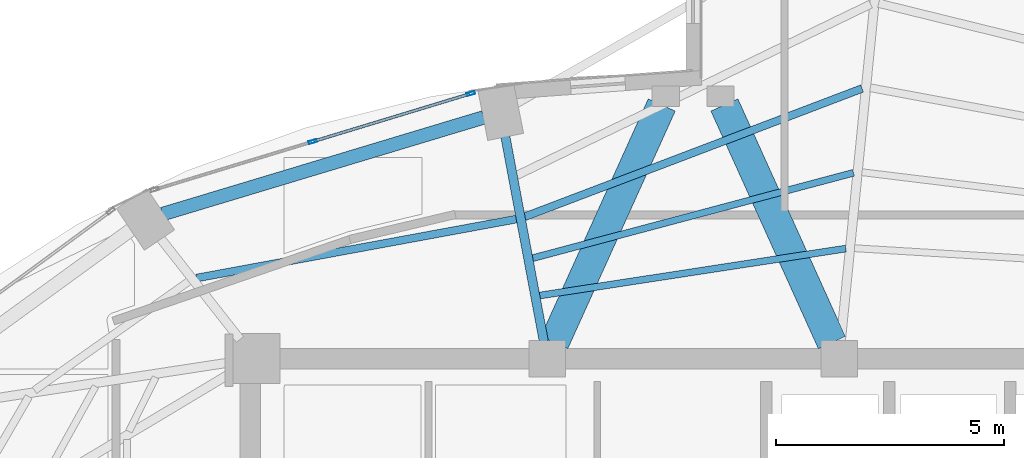
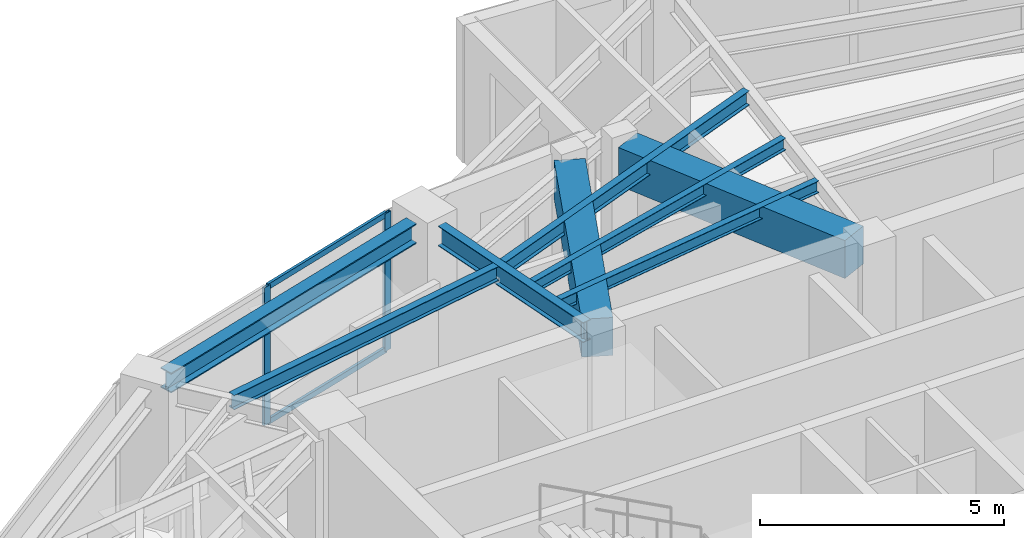
# One storey, part 11 of 22: 8 beams, 4 members, 1 element without a shape of its own.
"""IFC4 building model written with IfcOpenShell, lengths in metres."""

import ifcopenshell
import ifcopenshell.guid

model = None  # the IFC model being written
_history = None  # IfcOwnerHistory: only IFC2X3 demands one
_inside = {}  # id of a spatial element -> (the spatial element, [elements in it])
_under = {}  # id of a project, library or spatial element -> (it, [spatial elements below it])
_declared = {}  # id of a project -> (the project, [libraries it declares])
_typed = {}  # id of a type object -> (the type object, [elements of that type])
_made_of = {}  # id of a material, layer set ... -> (it, [elements and type objects made of it])


def new_model(schema):
    """Start an empty IFC model of exactly this schema.

    Asked for "IFC4X3", IfcOpenShell would pick the latest addendum, in which some entities
    have other attributes; the version numbers below select the first issue.
    IFC2X3 requires an IfcOwnerHistory on every rooted entity: one is made here for all.
    """
    global model, _history
    if schema == "IFC4X3":
        model = ifcopenshell.file(schema_version=(4, 3, 0, 0))
    else:
        model = ifcopenshell.file(schema=schema)
    _inside.clear()
    _under.clear()
    _declared.clear()
    _typed.clear()
    _made_of.clear()
    _history = None
    if model.schema == "IFC2X3":
        org = make("IfcOrganization", Name="unknown")
        user = make(
            "IfcPersonAndOrganization",
            ThePerson=make("IfcPerson", FamilyName="unknown"),
            TheOrganization=org,
        )
        app = make(
            "IfcApplication",
            ApplicationDeveloper=org,
            Version="unknown",
            ApplicationFullName="unknown",
            ApplicationIdentifier="unknown",
        )
        _history = make(
            "IfcOwnerHistory",
            OwningUser=user,
            OwningApplication=app,
            ChangeAction="ADDED",
            CreationDate=0,
        )
    return model


def make(cls, **values):
    """One entity of the class cls with the attributes given. An attribute that is None is left unset."""
    return model.create_entity(
        cls, **{name: value for name, value in values.items() if value is not None}
    )


def rooted(cls, **values):
    """An entity with a GlobalId (a new one), such as an element, a storey or a relation."""
    return make(cls, GlobalId=ifcopenshell.guid.new(), OwnerHistory=_history, **values)


def si_unit(unit_type, name, prefix=None):
    """IfcSIUnit, for example si_unit("LENGTHUNIT", "METRE", prefix="MILLI")."""
    return make("IfcSIUnit", UnitType=unit_type, Prefix=prefix, Name=name)


def assignment(units):
    """IfcUnitAssignment: the units of a project."""
    return None if units is None else make("IfcUnitAssignment", Units=units)


def point(xyz):
    """IfcCartesianPoint."""
    return None if xyz is None else make("IfcCartesianPoint", Coordinates=xyz)


def direction(xyz):
    """IfcDirection."""
    return None if xyz is None else make("IfcDirection", DirectionRatios=xyz)


def frame(location, z_axis=None, x_axis=None):
    """IfcAxis2Placement3D, a coordinate frame: its origin and axes. An axis left out is left unset."""
    return make(
        "IfcAxis2Placement3D",
        Location=point(location),
        Axis=direction(z_axis),
        RefDirection=direction(x_axis),
    )


def frame_2d(location, x_axis=None):
    """IfcAxis2Placement2D, a coordinate frame in the plane: its origin and x axis."""
    return make(
        "IfcAxis2Placement2D", Location=point(location), RefDirection=direction(x_axis)
    )


def origin():
    """The frame at (0, 0, 0) with its axes left unset."""
    return frame((0.0, 0.0, 0.0))


def origin_2d():
    """The frame at (0, 0) in the plane with its x axis left unset."""
    return frame_2d((0.0, 0.0))


def place(relative_to, where):
    """IfcLocalPlacement: puts the frame where relative to a parent placement (None: the world)."""
    return make(
        "IfcLocalPlacement", PlacementRelTo=relative_to, RelativePlacement=where
    )


def context(
    kind, dimensions, precision=None, world=None, true_north=None, identifier=None
):
    """IfcGeometricRepresentationContext, for example the 3D "Model" context."""
    return make(
        "IfcGeometricRepresentationContext",
        ContextIdentifier=identifier,
        ContextType=kind,
        CoordinateSpaceDimension=dimensions,
        Precision=precision,
        WorldCoordinateSystem=world,
        TrueNorth=true_north,
    )


def subcontext(parent, identifier, kind, view, scale=None):
    """IfcGeometricRepresentationSubContext, for example "Body" below "Model"."""
    return make(
        "IfcGeometricRepresentationSubContext",
        ContextIdentifier=identifier,
        ContextType=kind,
        ParentContext=parent,
        TargetScale=scale,
        TargetView=view,
    )


def project(units=None, contexts=None):
    """IfcProject with its units and contexts."""
    return rooted(
        "IfcProject",
        Name="project",
        RepresentationContexts=contexts,
        UnitsInContext=assignment(units),
    )


def spatial(cls, under=None, at=None, **own):
    """A site, building, storey or space (cls), placed at a placement, below another one or the project."""
    s = rooted(cls, ObjectPlacement=at, **own)
    if under is not None:
        _under.setdefault(under.id(), (under, []))[1].append(s)
    return s


def profile(cls, at=None, kind="AREA", **sizes):
    """A parametric profile (cls). Its sizes go by their IFC names, for example OverallWidth=200.0."""
    return make(cls, ProfileType=kind, Position=at, **sizes)


def rectangle(**sizes):
    """IfcRectangleProfileDef."""
    return profile("IfcRectangleProfileDef", **sizes)


def hollow_rectangle(**sizes):
    """IfcRectangleHollowProfileDef."""
    return profile("IfcRectangleHollowProfileDef", **sizes)


def i_section(**sizes):
    """IfcIShapeProfileDef."""
    return profile("IfcIShapeProfileDef", **sizes)


def extrude(swept, where, along, depth):
    """IfcExtrudedAreaSolid: the profile swept, set in the frame where, extruded along a direction by depth."""
    return make(
        "IfcExtrudedAreaSolid",
        SweptArea=swept,
        Position=where,
        ExtrudedDirection=direction(along),
        Depth=depth,
    )


def shape(context_of_items, identifier, shape_type, items):
    """IfcShapeRepresentation: the items that make up one representation, for example the "Body"."""
    return make(
        "IfcShapeRepresentation",
        ContextOfItems=context_of_items,
        RepresentationIdentifier=identifier,
        RepresentationType=shape_type,
        Items=items,
    )


def material(Name=None, Category=None):
    """IfcMaterial."""
    return make("IfcMaterial", Name=Name, Category=Category)


def layer(
    of_material, thickness, ventilated=None, Name=None, Category=None, Priority=None
):
    """IfcMaterialLayer: one layer of a wall or slab, of a material (None: an air gap)."""
    return make(
        "IfcMaterialLayer",
        Material=of_material,
        LayerThickness=thickness,
        IsVentilated=ventilated,
        Name=Name,
        Category=Category,
        Priority=Priority,
    )


def layer_set(layers, Name=None):
    """IfcMaterialLayerSet."""
    return make("IfcMaterialLayerSet", MaterialLayers=layers, LayerSetName=Name)


def material_profile(
    of_material, cross_section, Name=None, Category=None, Priority=None
):
    """IfcMaterialProfile: a cross section and its material."""
    return make(
        "IfcMaterialProfile",
        Name=Name,
        Material=of_material,
        Profile=cross_section,
        Priority=Priority,
        Category=Category,
    )


def profile_set(profiles, Name=None, composite=None):
    """IfcMaterialProfileSet."""
    return make(
        "IfcMaterialProfileSet",
        Name=Name,
        MaterialProfiles=profiles,
        CompositeProfile=composite,
    )


def made_of(thing, what):
    """Note that an element or type object is made of a material, layer set ...; save() writes the relation."""
    if what is not None:
        _made_of.setdefault(what.id(), (what, []))[1].append(thing)
    return thing


def type_object(cls, material=None, **own):
    """A type object (cls), such as IfcWallType, which elements share."""
    return made_of(rooted(cls, **own), material)


def element(
    cls,
    number,
    at=None,
    inside=None,
    cuts=None,
    type_object=None,
    material=None,
    context=None,
    identifier="Body",
    shape_type=None,
    held_by="IfcProductDefinitionShape",
    body=None,
    shapes=None,
    **own,
):
    """One element of the class cls, such as IfcWall. Its Tag is "e" and its number.

    at: its placement. inside: the storey or other place that contains it. cuts: it is an
    opening in that element (IfcRelVoidsElement). A single representation is given by context,
    identifier, shape_type and body (its items); several are given by shapes. held_by: the class
    of the entity that holds the representations. save() writes the other relations.
    """
    e = rooted(cls, Tag="e%d" % number, ObjectPlacement=at, **own)
    if body is not None:
        shapes = [shape(context, identifier, shape_type, body)]
    if shapes is not None:
        e.Representation = make(held_by, Representations=shapes)
    if inside is not None:
        _inside.setdefault(inside.id(), (inside, []))[1].append(e)
    if cuts is not None:
        rooted(
            "IfcRelVoidsElement", RelatingBuildingElement=cuts, RelatedOpeningElement=e
        )
    if type_object is not None:
        _typed.setdefault(type_object.id(), (type_object, []))[1].append(e)
    return made_of(e, material)


def aggregate(whole, parts):
    """IfcRelAggregates: a whole, such as a stair, and the parts it consists of."""
    return rooted("IfcRelAggregates", RelatingObject=whole, RelatedObjects=parts)


def save(model, path):
    """Write the relations noted so far, then the file.

    IfcRelAggregates (storeys below a building ...), IfcRelContainedInSpatialStructure (elements
    in a storey), IfcRelDefinesByType, IfcRelAssociatesMaterial and IfcRelDeclares: one each for
    every whole, place, type object, material and project.
    """
    for whole, parts in _under.values():
        aggregate(whole, parts)
    for where, things in _inside.values():
        rooted(
            "IfcRelContainedInSpatialStructure",
            RelatedElements=things,
            RelatingStructure=where,
        )
    for kind, things in _typed.values():
        rooted("IfcRelDefinesByType", RelatedObjects=things, RelatingType=kind)
    for what, things in _made_of.values():
        rooted("IfcRelAssociatesMaterial", RelatedObjects=things, RelatingMaterial=what)
    for by, libraries in _declared.values():
        rooted("IfcRelDeclares", RelatingContext=by, RelatedDefinitions=libraries)
    model.write(path)


model = new_model("IFC4")

# Units and contexts
model_context = context("Model", 3, precision=1e-05, world=origin(), true_north=direction((0.0, 1.0)))
body_context = subcontext(model_context, "Body", "Model", "MODEL_VIEW")
ifc_project = project(units=[si_unit("LENGTHUNIT", "METRE"), si_unit("AREAUNIT", "SQUARE_METRE"), si_unit("VOLUMEUNIT", "CUBIC_METRE"), si_unit("PLANEANGLEUNIT", "RADIAN"), si_unit("MASSUNIT", "GRAM", prefix="KILO")], contexts=[model_context])

# Site, building, storey
site_placement = place(None, origin())
site = spatial("IfcSite", under=ifc_project, at=site_placement, CompositionType="ELEMENT")
building_placement = place(site_placement, origin())
building = spatial("IfcBuilding", under=site, at=building_placement, Name="Lazwardi Medical Tower", CompositionType="ELEMENT")
storey_placement = place(building_placement, frame((0.0, 0.0, 258.672119140625)))
storey = spatial("IfcBuildingStorey", under=building, at=storey_placement, Name="L67", CompositionType="ELEMENT", Elevation=258.672119140625)

# Beams
ifc_material_1 = material(Name="Concrete C60/75", Category="concrete")
ifc_material_profile_1 = material_profile(ifc_material_1, rectangle(XDim=0.64990234375, YDim=0.949951171875, at=origin_2d()), Name="RC 650x950")
ifc_profile_set_1 = profile_set([ifc_material_profile_1], Name="Concrete C60/75")
beam_type_1 = type_object("IfcBeamType", Name="BM-CB-RC2", PredefinedType="LINTEL", material=ifc_profile_set_1)
for number, where, z_axis, x_axis, name in (
    (1, (32.95849609375, 35.95068359375, 2.972900390625), (0.412019279944, 0.911175127489, 0.0), (-0.911175127489, 0.412019279944, 0.0), "Core coupling lintel CB-02 PL1 L67"),
    (2, (39.04150390625, 35.95068359375, 2.972900390625), (-0.412019279944, 0.911175127489, 0.0), (-0.911175127489, -0.412019279944, 0.0), "Core coupling lintel CB-02 PL2 L67"),
):
    element("IfcBeam", number, at=place(storey_placement, frame(where, z_axis=z_axis, x_axis=x_axis)), inside=storey, type_object=beam_type_1, Name=name, PredefinedType="LINTEL", context=body_context, shape_type="SweptSolid", body=[
        extrude(rectangle(XDim=0.64990234375, YDim=0.949951171875, at=origin_2d()), origin(), (0.0, 0.0, 1.0), 5.7158203125),
    ])
ifc_material_2 = material(Name="Steel S355", Category="steel")
ifc_material_profile_2 = material_profile(ifc_material_2, i_section(OverallWidth=0.300048828125, OverallDepth=0.5, WebThickness=0.014404296875, FlangeThickness=0.028076171875, at=origin_2d()), Name="HEB 500")
ifc_profile_set_2 = profile_set([ifc_material_profile_2], Name="Steel S355")
beam_type_2 = type_object("IfcBeamType", Name="BM-RB-Z4", PredefinedType="BEAM", material=ifc_profile_set_2)
beam_1_placement = place(storey_placement, frame((31.41259765625, 40.885986328125, 3.197998046875), z_axis=(-0.957544311906, -0.288286126506, 0.0), x_axis=(0.288286126506, -0.957544311906, 0.0)))
element("IfcBeam", 3, at=beam_1_placement, inside=storey, type_object=beam_type_2, Name="Ring beam RB-05 B09 L67", PredefinedType="BEAM", context=body_context, shape_type="SweptSolid", body=[
    extrude(i_section(OverallWidth=0.300048828125, OverallDepth=0.5, WebThickness=0.014404296875, FlangeThickness=0.028076171875, at=origin_2d()), origin(), (0.0, 0.0, 1.0), 7.3515625),
])
ifc_material_profile_3 = material_profile(ifc_material_2, i_section(OverallWidth=0.199951171875, OverallDepth=0.5, WebThickness=0.01025390625, FlangeThickness=0.01611328125, at=origin_2d()), Name="IPE 500")
ifc_profile_set_3 = profile_set([ifc_material_profile_3], Name="Steel S355")
beam_type_3 = type_object("IfcBeamType", Name="BM-RG-W3", PredefinedType="BEAM", material=ifc_profile_set_3)
beam_2_placement = place(storey_placement, frame((31.884765625, 40.472412109375, 3.197998046875), z_axis=(0.184633463507, -0.982807450192, 0.0), x_axis=(0.982807450192, 0.184633463507, 0.0)))
element("IfcBeam", 4, at=beam_2_placement, inside=storey, type_object=beam_type_3, Name="Radial girder RG-04 R09 L67", PredefinedType="BEAM", context=body_context, shape_type="SweptSolid", body=[
    extrude(i_section(OverallWidth=0.199951171875, OverallDepth=0.5, WebThickness=0.01025390625, FlangeThickness=0.01611328125, at=origin_2d()), origin(), (0.0, 0.0, 1.0), 4.572509765625),
])
ifc_material_profile_4 = material_profile(ifc_material_2, i_section(OverallWidth=0.169921875, OverallDepth=0.360107421875, WebThickness=0.008056640625, FlangeThickness=0.0126953125, at=origin_2d()), Name="IPE 360")
ifc_profile_set_4 = profile_set([ifc_material_profile_4], Name="Steel S355")
beam_type_4 = type_object("IfcBeamType", Name="BM-SJ-02", PredefinedType="JOIST", material=ifc_profile_set_4)
beam_3_placement = place(storey_placement, frame((39.703125, 41.51904296875, 3.267822265625), z_axis=(-0.934714470268, -0.355399576633, 0.0), x_axis=(0.355399576633, -0.934714470268, 0.0)))
element("IfcBeam", 5, at=beam_3_placement, inside=storey, type_object=beam_type_4, Name="Secondary joist SJ-02 R2 B08 L67", PredefinedType="JOIST", context=body_context, shape_type="SweptSolid", body=[
    extrude(i_section(OverallWidth=0.169921875, OverallDepth=0.360107421875, WebThickness=0.008056640625, FlangeThickness=0.0126953125, at=origin_2d()), origin(), (0.0, 0.0, 1.0), 7.908203125),
])
beam_4_placement = place(storey_placement, frame((32.12890625, 38.65771484375, 3.267822265625), z_axis=(-0.983427965623, -0.181299300688, 0.0), x_axis=(0.181299300688, -0.983427965623, 0.0)))
element("IfcBeam", 6, at=beam_4_placement, inside=storey, type_object=beam_type_4, Name="Secondary joist SJ-02 R2 B09 L67", PredefinedType="JOIST", context=body_context, shape_type="SweptSolid", body=[
    extrude(i_section(OverallWidth=0.169921875, OverallDepth=0.360107421875, WebThickness=0.008056640625, FlangeThickness=0.0126953125, at=origin_2d()), origin(), (0.0, 0.0, 1.0), 7.127685546875),
])
ifc_material_profile_5 = material_profile(ifc_material_2, i_section(OverallWidth=0.14990234375, OverallDepth=0.300048828125, WebThickness=0.007080078125, FlangeThickness=0.0107421875, at=origin_2d()), Name="IPE 300")
ifc_profile_set_5 = profile_set([ifc_material_profile_5], Name="Steel S355")
beam_type_5 = type_object("IfcBeamType", Name="BM-SJ-03", PredefinedType="JOIST", material=ifc_profile_set_5)
beam_5_placement = place(storey_placement, frame((39.515380859375, 39.671875, 3.2978515625), z_axis=(-0.966369007826, -0.257159368316, 0.0), x_axis=(0.257159368316, -0.966369007826, 0.0)))
element("IfcBeam", 7, at=beam_5_placement, inside=storey, type_object=beam_type_5, Name="Secondary joist SJ-03 R3 B08 L67", PredefinedType="JOIST", context=body_context, shape_type="SweptSolid", body=[
    extrude(i_section(OverallWidth=0.14990234375, OverallDepth=0.300048828125, WebThickness=0.007080078125, FlangeThickness=0.0107421875, at=origin_2d()), origin(), (0.0, 0.0, 1.0), 7.27685546875),
])
beam_6_placement = place(storey_placement, frame((39.347412109375, 38.010986328125, 3.2978515625), z_axis=(-0.988433562862, -0.151654514629, 0.0), x_axis=(0.151654514629, -0.988433562862, 0.0)))
element("IfcBeam", 8, at=beam_6_placement, inside=storey, type_object=beam_type_5, Name="Secondary joist SJ-03 R4 B08 L67", PredefinedType="JOIST", context=body_context, shape_type="SweptSolid", body=[
    extrude(i_section(OverallWidth=0.14990234375, OverallDepth=0.300048828125, WebThickness=0.007080078125, FlangeThickness=0.0107421875, at=origin_2d()), origin(), (0.0, 0.0, 1.0), 6.788818359375),
])

# Curtain wall, members
ifc_material_3 = material(Name="Anodised bronze aluminium and solar control glazing", Category="aluminium")
ifc_layer = layer(ifc_material_3, 0.18994140625)
ifc_layer_set = layer_set([ifc_layer], Name="Anodised bronze aluminium and solar control glazing")
curtain_wall_type = type_object("IfcCurtainWallType", Name="CW-SYS-04", PredefinedType="NOTDEFINED", material=ifc_layer_set)
curtain_wall_placement = place(storey_placement, origin())
curtain_wall = element("IfcCurtainWall", 9, at=curtain_wall_placement, inside=storey, type_object=curtain_wall_type, Name="L67 Unitised bronze curtain wall CW-04", PredefinedType="NOTDEFINED")
ifc_material_4 = material(Name="Anodised bronze aluminium", Category="aluminium")
ifc_material_profile_6 = material_profile(ifc_material_4, hollow_rectangle(XDim=0.06494140625, YDim=0.179931640625, WallThickness=0.00390625, at=origin_2d()), Name="ALU-MULLION 180x65x4")
ifc_profile_set_6 = profile_set([ifc_material_profile_6], Name="Anodised bronze aluminium")
member_type_1 = type_object("IfcMemberType", Name="CW-MUL-03", PredefinedType="MULLION", material=ifc_profile_set_6)
member_1_placement = place(storey_placement, frame((31.126953125, 41.406982421875, 0.0), z_axis=(0.0, 0.0, 1.0), x_axis=(0.290581889515, -0.956850126972, 0.0)))
member_1 = element("IfcMember", 10, at=member_1_placement, type_object=member_type_1, Name="CW-04 mullion 1", PredefinedType="MULLION", context=body_context, shape_type="SweptSolid", body=[
    extrude(hollow_rectangle(XDim=0.06494140625, YDim=0.179931640625, WallThickness=0.00390625, at=origin_2d()), origin(), (0.0, 0.0, 1.0), 3.447998046875),
])
member_2_placement = place(storey_placement, frame((27.66357421875, 40.355224609375, 0.0), z_axis=(0.0, 0.0, 1.0), x_axis=(0.290581889515, -0.956850126972, 0.0)))
member_2 = element("IfcMember", 11, at=member_2_placement, type_object=member_type_1, Name="CW-04 mullion 2", PredefinedType="MULLION", context=body_context, shape_type="SweptSolid", body=[
    extrude(hollow_rectangle(XDim=0.06494140625, YDim=0.179931640625, WallThickness=0.00390625, at=origin_2d()), origin(), (0.0, 0.0, 1.0), 3.447998046875),
])
ifc_material_profile_7 = material_profile(ifc_material_4, hollow_rectangle(XDim=0.06494140625, YDim=0.139892578125, WallThickness=0.00341796875, at=origin_2d()), Name="ALU-TRANSOM 140x65x3.5")
ifc_profile_set_7 = profile_set([ifc_material_profile_7], Name="Anodised bronze aluminium")
member_type_2 = type_object("IfcMemberType", Name="CW-TRN-03", PredefinedType="USERDEFINED", material=ifc_profile_set_7)
member_3_placement = place(storey_placement, frame((31.095703125, 41.397705078125, 0.032470703125), z_axis=(-0.956843409009, -0.290604010015, 0.0), x_axis=(0.290604010015, -0.956843409009, 0.0)))
member_3 = element("IfcMember", 12, at=member_3_placement, type_object=member_type_2, Name="CW-04 transom 1.1", ObjectType="TRANSOM", PredefinedType="USERDEFINED", context=body_context, shape_type="SweptSolid", body=[
    extrude(hollow_rectangle(XDim=0.06494140625, YDim=0.139892578125, WallThickness=0.00341796875, at=origin_2d()), origin(), (0.0, 0.0, 1.0), 3.554443359375),
])
member_4_placement = place(storey_placement, frame((31.095703125, 41.397705078125, 3.415283203125), z_axis=(-0.956843409009, -0.290604010015, 0.0), x_axis=(0.290604010015, -0.956843409009, 0.0)))
member_4 = element("IfcMember", 13, at=member_4_placement, type_object=member_type_2, Name="CW-04 transom 1.2", ObjectType="TRANSOM", PredefinedType="USERDEFINED", context=body_context, shape_type="SweptSolid", body=[
    extrude(hollow_rectangle(XDim=0.06494140625, YDim=0.139892578125, WallThickness=0.00341796875, at=origin_2d()), origin(), (0.0, 0.0, 1.0), 3.554443359375),
])
aggregate(curtain_wall, [member_1, member_2, member_3, member_4])

save(model, "model.ifc")
